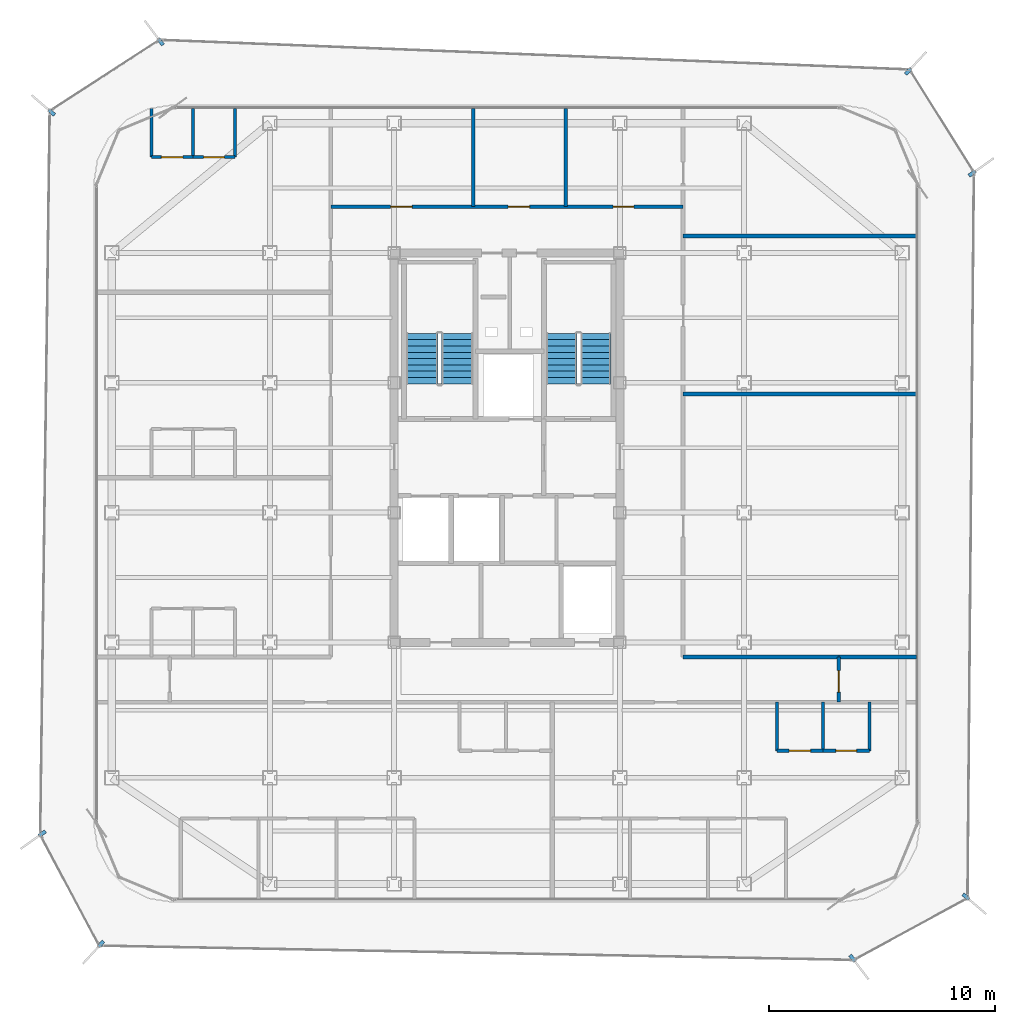
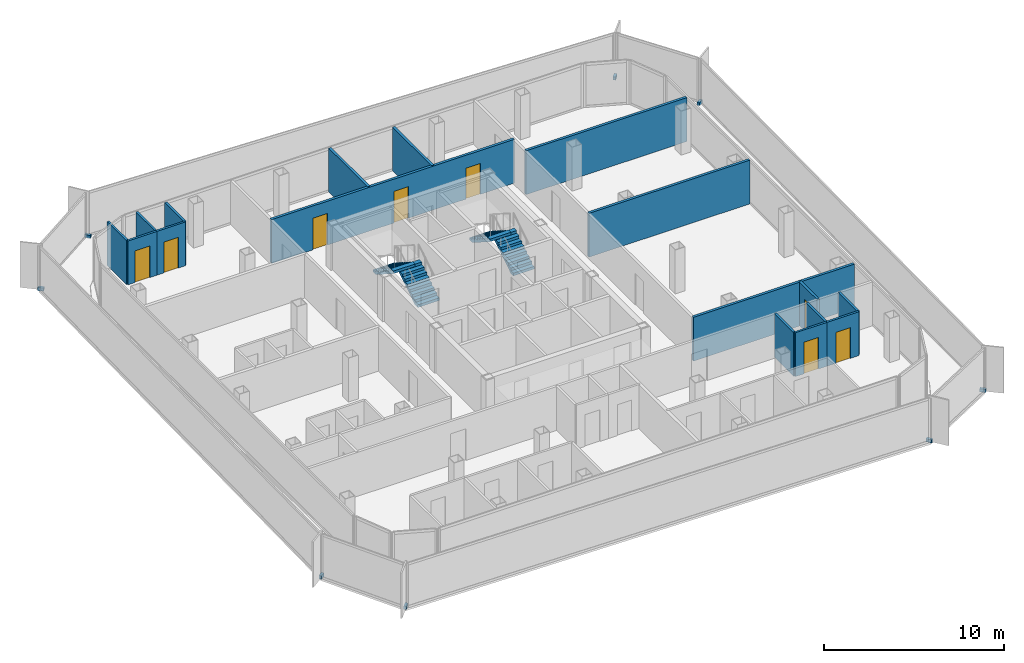
# One storey, part 12 of 15: 18 walls, 8 discrete accessories, 8 doors, 4 stair flights, 8 openings, 2 elements without a shape of their own.
"""IFC4 building model written with IfcOpenShell, lengths in metres."""

from ifc_helpers import new_model, si_unit, direction, frame, frame_2d, origin, origin_2d, place, context, subcontext, project, spatial, polyline, rectangle, outline, extrude, source, transform, mapped, material, layer, layer_set, type_object, element, fill, aggregate, save


model = new_model("IFC4")

# Units and contexts
model_context = context("Model", 3, precision=1e-05, world=origin(), true_north=direction((0.0, 1.0)))
body_context = subcontext(model_context, "Body", "Model", "MODEL_VIEW")
ifc_project = project(units=[si_unit("LENGTHUNIT", "METRE"), si_unit("AREAUNIT", "SQUARE_METRE"), si_unit("VOLUMEUNIT", "CUBIC_METRE"), si_unit("PLANEANGLEUNIT", "RADIAN"), si_unit("MASSUNIT", "GRAM", prefix="KILO")], contexts=[model_context])

# Site, building, storey
site_placement = place(None, origin())
site = spatial("IfcSite", under=ifc_project, at=site_placement, CompositionType="ELEMENT")
building_placement = place(site_placement, origin())
building = spatial("IfcBuilding", under=site, at=building_placement, Name="Kolveth Station Tower", CompositionType="ELEMENT")
storey_placement = place(building_placement, frame((0.0, 0.0, 261.699951171875)))
storey = spatial("IfcBuildingStorey", under=building, at=storey_placement, Name="L75", CompositionType="ELEMENT", Elevation=261.699951171875)

# Wall, opening, door
ifc_material_1 = material(Name="Moisture-resistant gypsum partition")
ifc_layer_1 = layer(ifc_material_1, 0.135009765625)
ifc_layer_set_1 = layer_set([ifc_layer_1], Name="Moisture-resistant gypsum partition")
wall_type_1 = type_object("IfcWallType", Name="Wall_IW-135", PredefinedType="PARTITIONING", material=ifc_layer_set_1)
wall_1_placement = place(storey_placement, frame((35.449951171875, 6.699951171875, 0.0), z_axis=(0.0, 0.0, 1.0), x_axis=(1.0, 0.0, 0.0)))
wall_1 = element("IfcWall", 1, at=wall_1_placement, inside=storey, type_object=wall_type_1, Name="L75 Partition Wall WL-L75-A2-IBHK", PredefinedType="PARTITIONING", context=body_context, shape_type="SweptSolid", body=[
    extrude(rectangle(XDim=2.050048828125, YDim=0.135009765625, at=frame_2d((1.02490234375, 0.0))), origin(), (0.0, 0.0, 1.0), 2.97998046875),
])
opening_1_placement = place(wall_1_placement, frame((0.544921875, 0.0, 0.0)))
opening_1 = element("IfcOpeningElement", 2, at=opening_1_placement, cuts=wall_1, Name="Opening ID1", PredefinedType="OPENING", context=body_context, shape_type="SweptSolid", body=[
    extrude(rectangle(XDim=0.949951171875, YDim=2.14990234375, at=frame_2d((0.47509765625, 1.074951171875))), frame((0.0, 0.077392578125, 0.0), z_axis=(0.0, -1.0, 0.0), x_axis=(1.0, 0.0, 0.0)), (0.0, 0.0, 1.0), 0.155029296875),
])
ifc_material_2 = material(Name="Acoustic hardwood leaf and aluminium frame", Category="wood")
door_type_1 = type_object("IfcDoorType", Name="Door_ID1", OperationType="NOTDEFINED", PredefinedType="DOOR", material=ifc_material_2)
door_1_placement = place(opening_1_placement, origin())
door_1 = element("IfcDoor", 3, at=door_1_placement, inside=storey, type_object=door_type_1, Name="Penthouse Flat L75-A2 Kitchen Door", OperationType="SINGLE_SWING_RIGHT", OverallHeight=2.14990234375, OverallWidth=0.949951171875, PredefinedType="DOOR", context=body_context, shape_type="SweptSolid", body=[
    extrude(rectangle(XDim=0.949951171875, YDim=2.14990234375, at=frame_2d((0.47509765625, 1.074951171875))), frame((0.0, 0.02490234375, 0.0), z_axis=(0.0, -1.0, 0.0), x_axis=(1.0, 0.0, 0.0)), (0.0, 0.0, 1.0), 0.050048828125),
])
fill(opening_1, door_1)

wall_2_placement = place(storey_placement, frame((37.5, 6.699951171875, 0.0), z_axis=(0.0, 0.0, 1.0), x_axis=(1.0, 0.0, 0.0)))
wall_2 = element("IfcWall", 4, at=wall_2_placement, inside=storey, type_object=wall_type_1, Name="L75 Partition Wall WL-L75-A2-IBHB", PredefinedType="PARTITIONING", context=body_context, shape_type="SweptSolid", body=[
    extrude(rectangle(XDim=2.050048828125, YDim=0.135009765625, at=frame_2d((1.02490234375, 0.0))), origin(), (0.0, 0.0, 1.0), 2.97998046875),
])
opening_2_placement = place(wall_2_placement, frame((0.56494140625, 0.0, 0.0)))
opening_2 = element("IfcOpeningElement", 5, at=opening_2_placement, cuts=wall_2, Name="Opening ID2", PredefinedType="OPENING", context=body_context, shape_type="SweptSolid", body=[
    extrude(rectangle(XDim=0.919921875, YDim=2.10009765625, at=frame_2d((0.4599609375, 1.050048828125))), frame((0.0, 0.077392578125, 0.0), z_axis=(0.0, -1.0, 0.0), x_axis=(1.0, 0.0, 0.0)), (0.0, 0.0, 1.0), 0.155029296875),
])
ifc_material_3 = material(Name="Moisture-resistant hardwood leaf", Category="wood")
door_type_2 = type_object("IfcDoorType", Name="Door_ID2", OperationType="NOTDEFINED", PredefinedType="DOOR", material=ifc_material_3)
door_2_placement = place(opening_2_placement, origin())
door_2 = element("IfcDoor", 6, at=door_2_placement, inside=storey, type_object=door_type_2, Name="Penthouse Flat L75-A2 Bathroom Door", OperationType="SINGLE_SWING_LEFT", OverallHeight=2.10009765625, OverallWidth=0.919921875, PredefinedType="DOOR", context=body_context, shape_type="SweptSolid", body=[
    extrude(rectangle(XDim=0.919921875, YDim=2.10009765625, at=frame_2d((0.4599609375, 1.050048828125))), frame((0.0, 0.02490234375, 0.0), z_axis=(0.0, -1.0, 0.0), x_axis=(1.0, 0.0, 0.0)), (0.0, 0.0, 1.0), 0.050048828125),
])
fill(opening_2, door_2)

# Walls
for number, where, z_axis, x_axis, name in (
    (7, (35.449951171875, 6.699951171875, 0.0), (0.0, 0.0, 1.0), (0.0, 1.0, 0.0), "L75 Partition Wall WL-L75-A2-IBV0"),
    (8, (37.5, 6.699951171875, 0.0), (0.0, 0.0, 1.0), (0.0, 1.0, 0.0), "L75 Partition Wall WL-L75-A2-IBV1"),
    (9, (39.550048828125, 6.699951171875, 0.0), (0.0, 0.0, 1.0), (0.0, 1.0, 0.0), "L75 Partition Wall WL-L75-A2-IBV2"),
):
    element("IfcWall", number, at=place(storey_placement, frame(where, z_axis=z_axis, x_axis=x_axis)), inside=storey, type_object=wall_type_1, Name=name, PredefinedType="PARTITIONING", context=body_context, shape_type="SweptSolid", body=[
        extrude(rectangle(XDim=2.150146484375, YDim=0.135009765625, at=frame_2d((1.0751953125, 0.0))), origin(), (0.0, 0.0, 1.0), 2.97998046875),
    ])

# Wall, opening, door
wall_3_placement = place(storey_placement, frame((7.75, 32.989990234375, 0.0), z_axis=(0.0, 0.0, 1.0), x_axis=(1.0, 0.0, 0.0)))
wall_3 = element("IfcWall", 10, at=wall_3_placement, inside=storey, type_object=wall_type_1, Name="L75 Partition Wall WL-L75-W3-IBHK", PredefinedType="PARTITIONING", context=body_context, shape_type="SweptSolid", body=[
    extrude(rectangle(XDim=1.85009765625, YDim=0.135009765625, at=frame_2d((0.925048828125, 0.0))), origin(), (0.0, 0.0, 1.0), 2.97998046875),
])
opening_3_placement = place(wall_3_placement, frame((0.445068359375, 0.0, 0.0)))
opening_3 = element("IfcOpeningElement", 11, at=opening_3_placement, cuts=wall_3, Name="Opening ID1", PredefinedType="OPENING", context=body_context, shape_type="SweptSolid", body=[
    extrude(rectangle(XDim=0.949951171875, YDim=2.14990234375, at=frame_2d((0.47509765625, 1.074951171875))), frame((0.0, 0.077392578125, 0.0), z_axis=(0.0, -1.0, 0.0), x_axis=(1.0, 0.0, 0.0)), (0.0, 0.0, 1.0), 0.155029296875),
])
door_3_placement = place(opening_3_placement, frame((0.949951171875, 0.0, 0.0), z_axis=(0.0, 0.0, 1.0), x_axis=(-1.0, 0.0, 0.0)))
door_3 = element("IfcDoor", 12, at=door_3_placement, inside=storey, type_object=door_type_1, Name="Flat L75-W3 Kitchen Door", OperationType="SINGLE_SWING_RIGHT", OverallHeight=2.14990234375, OverallWidth=0.949951171875, PredefinedType="DOOR", context=body_context, shape_type="SweptSolid", body=[
    extrude(rectangle(XDim=0.949951171875, YDim=2.14990234375, at=frame_2d((0.47509765625, 1.074951171875))), frame((0.0, 0.02490234375, 0.0), z_axis=(0.0, -1.0, 0.0), x_axis=(1.0, 0.0, 0.0)), (0.0, 0.0, 1.0), 0.050048828125),
])
fill(opening_3, door_3)

wall_4_placement = place(storey_placement, frame((9.60009765625, 32.989990234375, 0.0), z_axis=(0.0, 0.0, 1.0), x_axis=(1.0, 0.0, 0.0)))
wall_4 = element("IfcWall", 13, at=wall_4_placement, inside=storey, type_object=wall_type_1, Name="L75 Partition Wall WL-L75-W3-IBHB", PredefinedType="PARTITIONING", context=body_context, shape_type="SweptSolid", body=[
    extrude(rectangle(XDim=1.849853515625, YDim=0.135009765625, at=frame_2d((0.9248046875, 0.0))), origin(), (0.0, 0.0, 1.0), 2.97998046875),
])
opening_4_placement = place(wall_4_placement, frame((0.465087890625, 0.0, 0.0)))
opening_4 = element("IfcOpeningElement", 14, at=opening_4_placement, cuts=wall_4, Name="Opening ID2", PredefinedType="OPENING", context=body_context, shape_type="SweptSolid", body=[
    extrude(rectangle(XDim=0.919921875, YDim=2.10009765625, at=frame_2d((0.4599609375, 1.050048828125))), frame((0.0, 0.077392578125, 0.0), z_axis=(0.0, -1.0, 0.0), x_axis=(1.0, 0.0, 0.0)), (0.0, 0.0, 1.0), 0.155029296875),
])
door_4_placement = place(opening_4_placement, frame((0.919921875, 0.0, 0.0), z_axis=(0.0, 0.0, 1.0), x_axis=(-1.0, 0.0, 0.0)))
door_4 = element("IfcDoor", 15, at=door_4_placement, inside=storey, type_object=door_type_2, Name="Flat L75-W3 Bathroom Door", OperationType="SINGLE_SWING_LEFT", OverallHeight=2.10009765625, OverallWidth=0.919921875, PredefinedType="DOOR", context=body_context, shape_type="SweptSolid", body=[
    extrude(rectangle(XDim=0.919921875, YDim=2.10009765625, at=frame_2d((0.4599609375, 1.050048828125))), frame((0.0, 0.02490234375, 0.0), z_axis=(0.0, -1.0, 0.0), x_axis=(1.0, 0.0, 0.0)), (0.0, 0.0, 1.0), 0.050048828125),
])
fill(opening_4, door_4)

# Walls
for number, where, z_axis, x_axis, name in (
    (16, (7.75, 32.989990234375, 0.0), (0.0, 0.0, 1.0), (0.0, 1.0, 0.0), "L75 Partition Wall WL-L75-W3-IBV0"),
    (17, (9.60009765625, 32.989990234375, 0.0), (0.0, 0.0, 1.0), (0.0, 1.0, 0.0), "L75 Partition Wall WL-L75-W3-IBV1"),
    (18, (11.449951171875, 32.989990234375, 0.0), (0.0, 0.0, 1.0), (0.0, 1.0, 0.0), "L75 Partition Wall WL-L75-W3-IBV2"),
):
    element("IfcWall", number, at=place(storey_placement, frame(where, z_axis=z_axis, x_axis=x_axis)), inside=storey, type_object=wall_type_1, Name=name, PredefinedType="PARTITIONING", context=body_context, shape_type="SweptSolid", body=[
        extrude(rectangle(XDim=2.14990234375, YDim=0.135009765625, at=frame_2d((1.074951171875, 0.0))), origin(), (0.0, 0.0, 1.0), 2.97998046875),
    ])
ifc_material_4 = material(Name="Acoustic double-stud gypsum partition")
ifc_layer_2 = layer(ifc_material_4, 0.1650390625)
ifc_layer_set_2 = layer_set([ifc_layer_2], Name="Acoustic double-stud gypsum partition")
wall_type_2 = type_object("IfcWallType", Name="Wall_IW-165", PredefinedType="PARTITIONING", material=ifc_layer_set_2)
wall_5_placement = place(storey_placement, frame((31.300048828125, 10.85009765625, 0.0), z_axis=(0.0, 0.0, 1.0), x_axis=(1.0, 0.0, 0.0)))
element("IfcWall", 19, at=wall_5_placement, inside=storey, type_object=wall_type_2, Name="L75 Partition Wall WL-L75-RSET", PredefinedType="PARTITIONING", context=body_context, shape_type="SweptSolid", body=[
    extrude(rectangle(XDim=6.89990234375, YDim=0.1650390625, at=frame_2d((3.449951171875, 0.0))), origin(), (0.0, 0.0, 1.0), 2.97998046875),
])

# Wall, opening, door
wall_6_placement = place(storey_placement, frame((38.199951171875, 8.85009765625, 0.0), z_axis=(0.0, 0.0, 1.0), x_axis=(0.0, 1.0, 0.0)))
wall_6 = element("IfcWall", 20, at=wall_6_placement, inside=storey, type_object=wall_type_2, Name="L75 Partition Wall WL-L75-RSEE", PredefinedType="PARTITIONING", context=body_context, shape_type="SweptSolid", body=[
    extrude(rectangle(XDim=2.0, YDim=0.1650390625, at=frame_2d((1.0, 0.0))), origin(), (0.0, 0.0, 1.0), 2.97998046875),
])
opening_5_placement = place(wall_6_placement, frame((0.449951171875, 0.0, 0.0)))
opening_5 = element("IfcOpeningElement", 21, at=opening_5_placement, cuts=wall_6, Name="Opening ID1", PredefinedType="OPENING", context=body_context, shape_type="SweptSolid", body=[
    extrude(rectangle(XDim=0.949951171875, YDim=2.14990234375, at=frame_2d((0.47509765625, 1.074951171875))), frame((0.0, 0.092529296875, 0.0), z_axis=(0.0, -1.0, 0.0), x_axis=(1.0, 0.0, 0.0)), (0.0, 0.0, 1.0), 0.18505859375),
])
door_5_placement = place(opening_5_placement, origin())
door_5 = element("IfcDoor", 22, at=door_5_placement, inside=storey, type_object=door_type_1, Name="L75 Hobby Study Door", OperationType="SINGLE_SWING_LEFT", OverallHeight=2.14990234375, OverallWidth=0.949951171875, PredefinedType="DOOR", context=body_context, shape_type="SweptSolid", body=[
    extrude(rectangle(XDim=0.949951171875, YDim=2.14990234375, at=frame_2d((0.47509765625, 1.074951171875))), frame((0.0, 0.02490234375, 0.0), z_axis=(0.0, -1.0, 0.0), x_axis=(1.0, 0.0, 0.0)), (0.0, 0.0, 1.0), 0.050048828125),
])
fill(opening_5, door_5)

# Wall, openings, doors
wall_7_placement = place(storey_placement, frame((15.699951171875, 30.800048828125, 0.0), z_axis=(0.0, 0.0, 1.0), x_axis=(1.0, 0.0, 0.0)))
wall_7 = element("IfcWall", 23, at=wall_7_placement, inside=storey, type_object=wall_type_2, Name="L75 Partition Wall WL-L75-RN", PredefinedType="PARTITIONING", context=body_context, shape_type="SweptSolid", body=[
    extrude(rectangle(XDim=15.60009765625, YDim=0.1650390625, at=frame_2d((7.800048828125, 0.0))), origin(), (0.0, 0.0, 1.0), 2.97998046875),
])
opening_6_placement = place(wall_7_placement, frame((2.64990234375, 0.0, 0.0)))
opening_6 = element("IfcOpeningElement", 24, at=opening_6_placement, cuts=wall_7, Name="Opening ID1", PredefinedType="OPENING", context=body_context, shape_type="SweptSolid", body=[
    extrude(rectangle(XDim=0.949951171875, YDim=2.14990234375, at=frame_2d((0.47509765625, 1.074951171875))), frame((0.0, 0.092529296875, 0.0), z_axis=(0.0, -1.0, 0.0), x_axis=(1.0, 0.0, 0.0)), (0.0, 0.0, 1.0), 0.18505859375),
])
opening_7_placement = place(wall_7_placement, frame((7.85009765625, 0.0, 0.0)))
opening_7 = element("IfcOpeningElement", 25, at=opening_7_placement, cuts=wall_7, Name="Opening ID1", PredefinedType="OPENING", context=body_context, shape_type="SweptSolid", body=[
    extrude(rectangle(XDim=0.949951171875, YDim=2.14990234375, at=frame_2d((0.47509765625, 1.074951171875))), frame((0.0, 0.092529296875, 0.0), z_axis=(0.0, -1.0, 0.0), x_axis=(1.0, 0.0, 0.0)), (0.0, 0.0, 1.0), 0.18505859375),
])
opening_8_placement = place(wall_7_placement, frame((12.5, 0.0, 0.0)))
opening_8 = element("IfcOpeningElement", 26, at=opening_8_placement, cuts=wall_7, Name="Opening ID2", PredefinedType="OPENING", context=body_context, shape_type="SweptSolid", body=[
    extrude(rectangle(XDim=0.919921875, YDim=2.10009765625, at=frame_2d((0.4599609375, 1.050048828125))), frame((0.0, 0.092529296875, 0.0), z_axis=(0.0, -1.0, 0.0), x_axis=(1.0, 0.0, 0.0)), (0.0, 0.0, 1.0), 0.18505859375),
])
door_6_placement = place(opening_6_placement, origin())
door_6 = element("IfcDoor", 27, at=door_6_placement, inside=storey, type_object=door_type_1, Name="L75 Residents' Study Lounge Door", OperationType="SINGLE_SWING_RIGHT", OverallHeight=2.14990234375, OverallWidth=0.949951171875, PredefinedType="DOOR", context=body_context, shape_type="SweptSolid", body=[
    extrude(rectangle(XDim=0.949951171875, YDim=2.14990234375, at=frame_2d((0.47509765625, 1.074951171875))), frame((0.0, 0.02490234375, 0.0), z_axis=(0.0, -1.0, 0.0), x_axis=(1.0, 0.0, 0.0)), (0.0, 0.0, 1.0), 0.050048828125),
])
fill(opening_6, door_6)
door_7_placement = place(opening_7_placement, origin())
door_7 = element("IfcDoor", 28, at=door_7_placement, inside=storey, type_object=door_type_1, Name="L75 Residents' Linen Store Door", OperationType="SINGLE_SWING_LEFT", OverallHeight=2.14990234375, OverallWidth=0.949951171875, PredefinedType="DOOR", context=body_context, shape_type="SweptSolid", body=[
    extrude(rectangle(XDim=0.949951171875, YDim=2.14990234375, at=frame_2d((0.47509765625, 1.074951171875))), frame((0.0, 0.02490234375, 0.0), z_axis=(0.0, -1.0, 0.0), x_axis=(1.0, 0.0, 0.0)), (0.0, 0.0, 1.0), 0.050048828125),
])
fill(opening_7, door_7)
door_8_placement = place(opening_8_placement, origin())
door_8 = element("IfcDoor", 29, at=door_8_placement, inside=storey, type_object=door_type_2, Name="L75 Accessible Residents' WC Door", OperationType="SINGLE_SWING_RIGHT", OverallHeight=2.10009765625, OverallWidth=0.919921875, PredefinedType="DOOR", context=body_context, shape_type="SweptSolid", body=[
    extrude(rectangle(XDim=0.919921875, YDim=2.10009765625, at=frame_2d((0.4599609375, 1.050048828125))), frame((0.0, 0.02490234375, 0.0), z_axis=(0.0, -1.0, 0.0), x_axis=(1.0, 0.0, 0.0)), (0.0, 0.0, 1.0), 0.050048828125),
])
fill(opening_8, door_8)

# Walls
wall_8_placement = place(storey_placement, frame((38.199951171875, 10.85009765625, 0.0), z_axis=(0.0, 0.0, 1.0), x_axis=(1.0, 0.0, 0.0)))
element("IfcWall", 30, at=wall_8_placement, inside=storey, type_object=wall_type_2, Name="L75 Partition Wall WL-L75-ESTN", PredefinedType="PARTITIONING", context=body_context, shape_type="SweptSolid", body=[
    extrude(rectangle(XDim=3.43994140625, YDim=0.1650390625, at=frame_2d((1.719970703125, 0.0))), origin(), (0.0, 0.0, 1.0), 2.97998046875),
])
for number, where, z_axis, x_axis, name in (
    (31, (31.300048828125, 22.5, 0.0), (0.0, 0.0, 1.0), (1.0, 0.0, 0.0), "L75 Partition Wall WL-L75-REA-P1"),
    (32, (31.300048828125, 29.5, 0.0), (0.0, 0.0, 1.0), (1.0, 0.0, 0.0), "L75 Partition Wall WL-L75-REA-P2"),
):
    element("IfcWall", number, at=place(storey_placement, frame(where, z_axis=z_axis, x_axis=x_axis)), inside=storey, type_object=wall_type_2, Name=name, PredefinedType="PARTITIONING", context=body_context, shape_type="SweptSolid", body=[
        extrude(rectangle(XDim=10.33984375, YDim=0.1650390625, at=frame_2d((5.169921875, 0.0))), origin(), (0.0, 0.0, 1.0), 2.97998046875),
    ])
for number, where, z_axis, x_axis, name in (
    (33, (22.0, 30.800048828125, 0.0), (0.0, 0.0, 1.0), (0.0, 1.0, 0.0), "L75 Partition Wall WL-L75-RN-P1"),
    (34, (26.10009765625, 30.800048828125, 0.0), (0.0, 0.0, 1.0), (0.0, 1.0, 0.0), "L75 Partition Wall WL-L75-RN-P2"),
):
    element("IfcWall", number, at=place(storey_placement, frame(where, z_axis=z_axis, x_axis=x_axis)), inside=storey, type_object=wall_type_2, Name=name, PredefinedType="PARTITIONING", context=body_context, shape_type="SweptSolid", body=[
        extrude(rectangle(XDim=4.33984375, YDim=0.1650390625, at=frame_2d((2.169921875, 0.0))), origin(), (0.0, 0.0, 1.0), 2.97998046875),
    ])

# Stair, stair flights
ifc_material_5 = material(Name="Concrete C40/50", Category="concrete")
stair_type_1 = type_object("IfcStairType", Name="Stair_ST1", PredefinedType="HALF_TURN_STAIR", material=ifc_material_5)
stair_1_placement = place(storey_placement, origin())
stair_1 = element("IfcStair", 35, at=stair_1_placement, inside=storey, type_object=stair_type_1, Name="L75 Tower Exit Stair ST1", PredefinedType="HALF_TURN_STAIR")
ifc_layer_3 = layer(ifc_material_5, 0.179931640625)
ifc_layer_set_3 = layer_set([ifc_layer_3], Name="Concrete C40/50")
stair_flight_type_1 = type_object("IfcStairFlightType", Name="Flight_ST1", PredefinedType="STRAIGHT", material=ifc_layer_set_3)
stair_flight_1_placement = place(storey_placement, frame((21.300048828125, 22.949951171875, 0.0), z_axis=(0.0, 0.0, 1.0), x_axis=(0.0, 1.0, 0.0)))
stair_flight_1 = element("IfcStairFlight", 36, at=stair_flight_1_placement, type_object=stair_flight_type_1, Name="ST1 flight 1", NumberOfRisers=9, NumberOfTreads=8, PredefinedType="STRAIGHT", RiserHeight=0.177777778, TreadLength=0.28, context=body_context, shape_type="SweptSolid", body=[
    extrude(outline(polyline([(0.0, 0.0), (0.0, 0.177734375), (0.280029296875, 0.177734375), (0.280029296875, 0.35546875), (0.56005859375, 0.35546875), (0.56005859375, 0.533447265625), (0.840087890625, 0.533447265625), (0.840087890625, 0.711181640625), (1.1201171875, 0.711181640625), (1.1201171875, 0.888916015625), (1.39990234375, 0.888916015625), (1.39990234375, 1.066650390625), (1.679931640625, 1.066650390625), (1.679931640625, 1.244384765625), (1.9599609375, 1.244384765625), (1.9599609375, 1.422119140625), (2.239990234375, 1.422119140625), (2.239990234375, 1.60009765625), (2.239990234375, 1.24462890625), (0.27978515625, 0.0), (0.0, 0.0)])), frame((0.0, 0.699951171875, 0.0), z_axis=(0.0, -1.0, 0.0), x_axis=(1.0, 0.0, 0.0)), (0.0, 0.0, 1.0), 1.39990234375),
])
stair_flight_2_placement = place(storey_placement, frame((19.739990234375, 25.18994140625, 1.60009765625), z_axis=(0.0, 0.0, 1.0), x_axis=(0.0, -1.0, 0.0)))
stair_flight_2 = element("IfcStairFlight", 37, at=stair_flight_2_placement, type_object=stair_flight_type_1, Name="ST1 flight 2", NumberOfRisers=9, NumberOfTreads=8, PredefinedType="STRAIGHT", RiserHeight=0.177777778, TreadLength=0.28, context=body_context, shape_type="SweptSolid", body=[
    extrude(outline(polyline([(0.0, 0.0), (0.0, 0.177734375), (0.280029296875, 0.177734375), (0.280029296875, 0.35546875), (0.56005859375, 0.35546875), (0.56005859375, 0.533447265625), (0.840087890625, 0.533447265625), (0.840087890625, 0.711181640625), (1.1201171875, 0.711181640625), (1.1201171875, 0.888916015625), (1.39990234375, 0.888916015625), (1.39990234375, 1.066650390625), (1.679931640625, 1.066650390625), (1.679931640625, 1.244384765625), (1.9599609375, 1.244384765625), (1.9599609375, 1.422119140625), (2.239990234375, 1.422119140625), (2.239990234375, 1.60009765625), (2.239990234375, 1.24462890625), (0.27978515625, 0.0), (0.0, 0.0)])), frame((0.0, 0.699951171875, 0.0), z_axis=(0.0, -1.0, 0.0), x_axis=(1.0, 0.0, 0.0)), (0.0, 0.0, 1.0), 1.39990234375),
])
aggregate(stair_1, [stair_flight_1, stair_flight_2])

stair_type_2 = type_object("IfcStairType", Name="Stair_ST2", PredefinedType="HALF_TURN_STAIR", material=ifc_material_5)
stair_2_placement = place(storey_placement, origin())
stair_2 = element("IfcStair", 38, at=stair_2_placement, inside=storey, type_object=stair_type_2, Name="L75 Tower Exit Stair ST2", PredefinedType="HALF_TURN_STAIR")
ifc_layer_4 = layer(ifc_material_5, 0.179931640625)
ifc_layer_set_4 = layer_set([ifc_layer_4], Name="Concrete C40/50")
stair_flight_type_2 = type_object("IfcStairFlightType", Name="Flight_ST2", PredefinedType="STRAIGHT", material=ifc_layer_set_4)
stair_flight_3_placement = place(storey_placement, frame((27.425048828125, 22.949951171875, 0.0), z_axis=(0.0, 0.0, 1.0), x_axis=(0.0, 1.0, 0.0)))
stair_flight_3 = element("IfcStairFlight", 39, at=stair_flight_3_placement, type_object=stair_flight_type_2, Name="ST2 flight 1", NumberOfRisers=9, NumberOfTreads=8, PredefinedType="STRAIGHT", RiserHeight=0.177777778, TreadLength=0.28, context=body_context, shape_type="SweptSolid", body=[
    extrude(outline(polyline([(0.0, 0.0), (0.0, 0.177734375), (0.280029296875, 0.177734375), (0.280029296875, 0.35546875), (0.56005859375, 0.35546875), (0.56005859375, 0.533447265625), (0.840087890625, 0.533447265625), (0.840087890625, 0.711181640625), (1.1201171875, 0.711181640625), (1.1201171875, 0.888916015625), (1.39990234375, 0.888916015625), (1.39990234375, 1.066650390625), (1.679931640625, 1.066650390625), (1.679931640625, 1.244384765625), (1.9599609375, 1.244384765625), (1.9599609375, 1.422119140625), (2.239990234375, 1.422119140625), (2.239990234375, 1.60009765625), (2.239990234375, 1.24462890625), (0.27978515625, 0.0), (0.0, 0.0)])), frame((0.0, 0.675048828125, 0.0), z_axis=(0.0, -1.0, 0.0), x_axis=(1.0, 0.0, 0.0)), (0.0, 0.0, 1.0), 1.35009765625),
])
stair_flight_4_placement = place(storey_placement, frame((25.9150390625, 25.18994140625, 1.60009765625), z_axis=(0.0, 0.0, 1.0), x_axis=(0.0, -1.0, 0.0)))
stair_flight_4 = element("IfcStairFlight", 40, at=stair_flight_4_placement, type_object=stair_flight_type_2, Name="ST2 flight 2", NumberOfRisers=9, NumberOfTreads=8, PredefinedType="STRAIGHT", RiserHeight=0.177777778, TreadLength=0.28, context=body_context, shape_type="SweptSolid", body=[
    extrude(outline(polyline([(0.0, 0.0), (0.0, 0.177734375), (0.280029296875, 0.177734375), (0.280029296875, 0.35546875), (0.56005859375, 0.35546875), (0.56005859375, 0.533447265625), (0.840087890625, 0.533447265625), (0.840087890625, 0.711181640625), (1.1201171875, 0.711181640625), (1.1201171875, 0.888916015625), (1.39990234375, 0.888916015625), (1.39990234375, 1.066650390625), (1.679931640625, 1.066650390625), (1.679931640625, 1.244384765625), (1.9599609375, 1.244384765625), (1.9599609375, 1.422119140625), (2.239990234375, 1.422119140625), (2.239990234375, 1.60009765625), (2.239990234375, 1.24462890625), (0.27978515625, 0.0), (0.0, 0.0)])), frame((0.0, 0.675048828125, 0.0), z_axis=(0.0, -1.0, 0.0), x_axis=(1.0, 0.0, 0.0)), (0.0, 0.0, 1.0), 1.35009765625),
])
aggregate(stair_2, [stair_flight_3, stair_flight_4])

# Discrete accessories
ifc_material_6 = material(Name="Steel S355", Category="steel")
discrete_accessory_type = type_object("IfcDiscreteAccessoryType", Name="Bracket_BK1", PredefinedType="BRACKET", material=ifc_material_6)
shared_shape = source(origin(), body_context, "Body", "SweptSolid", [
    extrude(rectangle(XDim=0.35009765625, YDim=0.159912109375, at=origin_2d()), origin(), (0.0, 0.0, 1.0), 0.219970703125),
])
for number, where, z_axis, x_axis, name in (
    (41, (38.802978515625, -2.489990234375, -0.06005859375), (0.0, 0.0, 1.0), (0.605016094056, -0.796213241496, 0.0), "L75 Double-Skin Radial Tie Bracket 1"),
    (42, (43.826904296875, 0.235107421875, -0.06005859375), (0.0, 0.0, 1.0), (0.759384877298, -0.650641689512, 0.0), "L75 Double-Skin Radial Tie Bracket 2"),
    (43, (44.10400390625, 32.26806640625, -0.06005859375), (0.0, 0.0, 1.0), (0.815532011604, 0.578711964667, 0.0), "L75 Double-Skin Radial Tie Bracket 3"),
    (44, (41.27392578125, 36.7958984375, -0.06005859375), (0.0, 0.0, 1.0), (0.6803372171, 0.732899222969, 0.0), "L75 Double-Skin Radial Tie Bracket 4"),
    (45, (8.157958984375, 38.10009765625, -0.06005859375), (0.0, 0.0, 1.0), (-0.600141046146, 0.79989419596, 0.0), "L75 Double-Skin Radial Tie Bracket 5"),
    (46, (3.3291015625, 34.97509765625, -0.06005859375), (0.0, 0.0, 1.0), (-0.758589401976, 0.651568967347, 0.0), "L75 Double-Skin Radial Tie Bracket 6"),
    (47, (2.9150390625, 3.033935546875, -0.06005859375), (0.0, 0.0, 1.0), (-0.815329953339, -0.578996603779, 0.0), "L75 Double-Skin Radial Tie Bracket 7"),
    (48, (5.513916015625, -1.864013671875, -0.06005859375), (0.0, 0.0, 1.0), (-0.677774776543, -0.735269577966, 0.0), "L75 Double-Skin Radial Tie Bracket 8"),
):
    element("IfcDiscreteAccessory", number, at=place(storey_placement, frame(where, z_axis=z_axis, x_axis=x_axis)), inside=storey, type_object=discrete_accessory_type, Name=name, PredefinedType="BRACKET", context=body_context, shape_type="MappedRepresentation", body=[
        mapped(shared_shape, transform((0.0, 0.0, 0.0), x_axis=(1.0, 0.0, 0.0), y_axis=(0.0, 1.0, 0.0), z_axis=(0.0, 0.0, 1.0), scale=1.0)),
    ])

save(model, "model.ifc")
